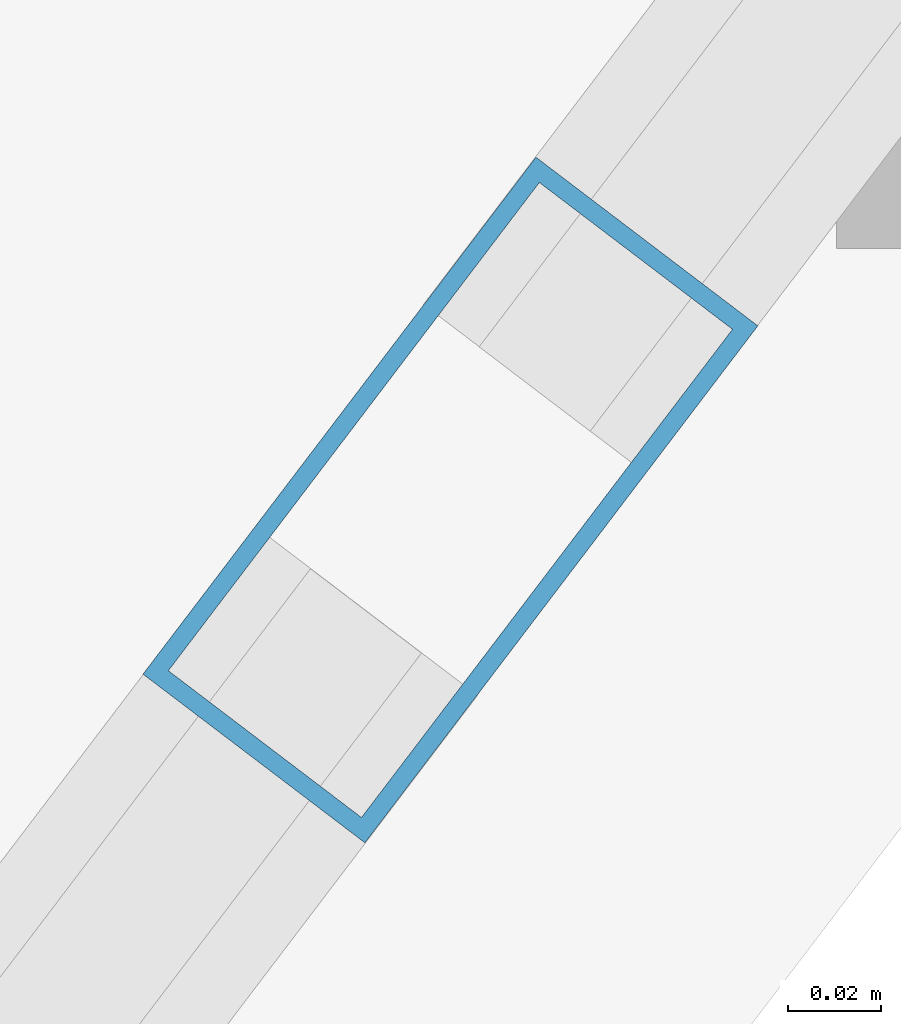
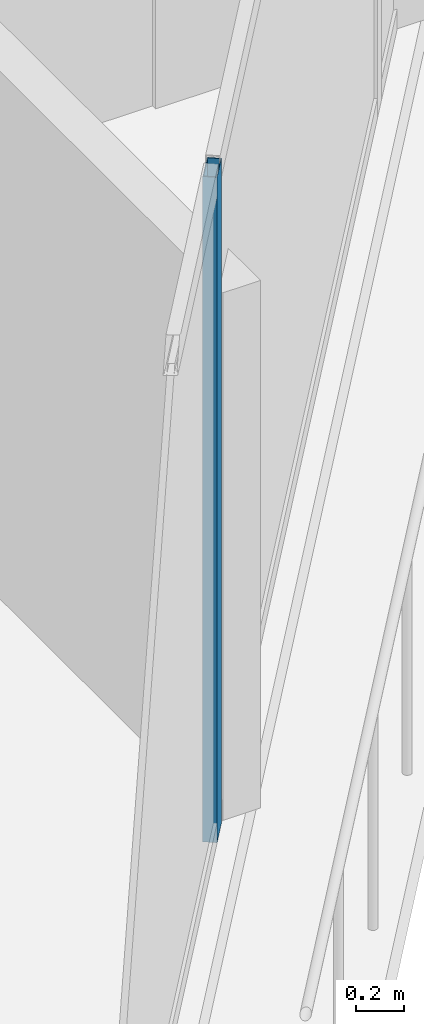
# One storey, part 4 of 20: 1 member, 1 element without a shape of its own.
"""IFC4 building model written with IfcOpenShell, lengths in metres."""

from ifc_helpers import new_model, si_unit, direction, frame, origin, origin_2d, place, context, subcontext, project, spatial, hollow_rectangle, extrude, material, layer, layer_set, material_profile, profile_set, type_object, element, aggregate, save


model = new_model("IFC4")

# Units and contexts
model_context = context("Model", 3, precision=1e-05, world=origin(), true_north=direction((0.0, 1.0)))
body_context = subcontext(model_context, "Body", "Model", "MODEL_VIEW")
ifc_project = project(units=[si_unit("LENGTHUNIT", "METRE"), si_unit("AREAUNIT", "SQUARE_METRE"), si_unit("VOLUMEUNIT", "CUBIC_METRE"), si_unit("PLANEANGLEUNIT", "RADIAN"), si_unit("MASSUNIT", "GRAM", prefix="KILO")], contexts=[model_context])

# Site, building, storey
site_placement = place(None, origin())
site = spatial("IfcSite", under=ifc_project, at=site_placement, CompositionType="ELEMENT")
building_placement = place(site_placement, origin())
building = spatial("IfcBuilding", under=site, at=building_placement, Name="Kravanh Interchange Tower", CompositionType="ELEMENT")
storey_placement = place(building_placement, frame((0.0, 0.0, 245.39990234375)))
storey = spatial("IfcBuildingStorey", under=building, at=storey_placement, Name="L59", CompositionType="ELEMENT", Elevation=245.39990234375)

# Curtain wall, member
ifc_material_1 = material(Name="Anodised Bronze Aluminium", Category="aluminium")
ifc_layer = layer(ifc_material_1, 0.179931640625)
ifc_layer_set = layer_set([ifc_layer], Name="Unitised Curtain Wall System CW-HTL Luxury Hotel")
curtain_wall_type = type_object("IfcCurtainWallType", Name="Unitised Curtain Wall System CW-HTL Luxury Hotel", PredefinedType="NOTDEFINED", material=ifc_layer_set)
curtain_wall_placement = place(storey_placement, origin())
curtain_wall = element("IfcCurtainWall", 1, at=curtain_wall_placement, inside=storey, type_object=curtain_wall_type, Name="L59 Unitised Curtain Wall CW-L59-05", PredefinedType="NOTDEFINED")
ifc_material_2 = material(Name="Anodised Bronze Aluminium", Category="aluminium")
ifc_material_profile = material_profile(ifc_material_2, hollow_rectangle(XDim=0.06005859375, YDim=0.139892578125, WallThickness=0.00390625, at=origin_2d()), Name="ALU60X140X4")
ifc_profile_set = profile_set([ifc_material_profile], Name="Anodised Bronze Aluminium")
member_type = type_object("IfcMemberType", Name="Curtain Wall Mullion ALU60X140X4 Bronze", PredefinedType="MULLION", material=ifc_profile_set)
member_placement = place(storey_placement, frame((38.427001953125, 22.11279296875, 0.0), z_axis=(0.0, 0.0, 1.0), x_axis=(0.79616243806, -0.605082946564, 0.0)))
member = element("IfcMember", 2, at=member_placement, type_object=member_type, Name="CW-HTL mullion 3", PredefinedType="MULLION", context=body_context, shape_type="SweptSolid", body=[
    extrude(hollow_rectangle(XDim=0.06005859375, YDim=0.139892578125, WallThickness=0.00390625, at=origin_2d()), origin(), (0.0, 0.0, 1.0), 3.360107421875),
])
aggregate(curtain_wall, [member])

save(model, "model.ifc")
